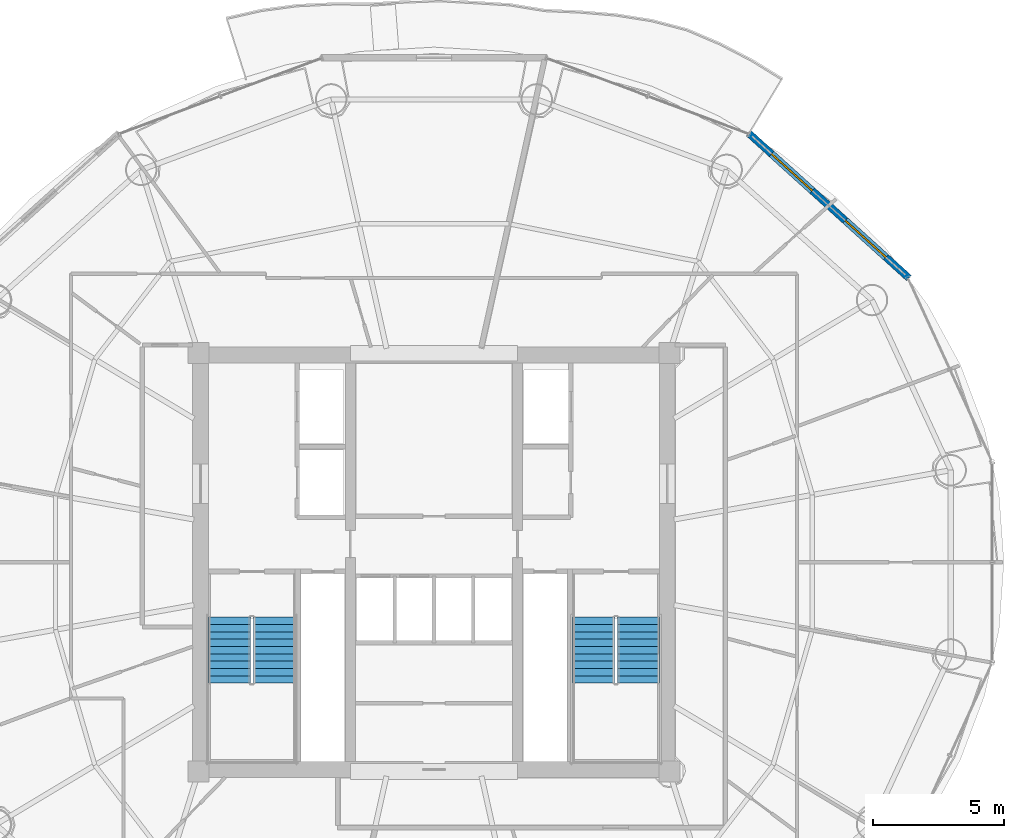
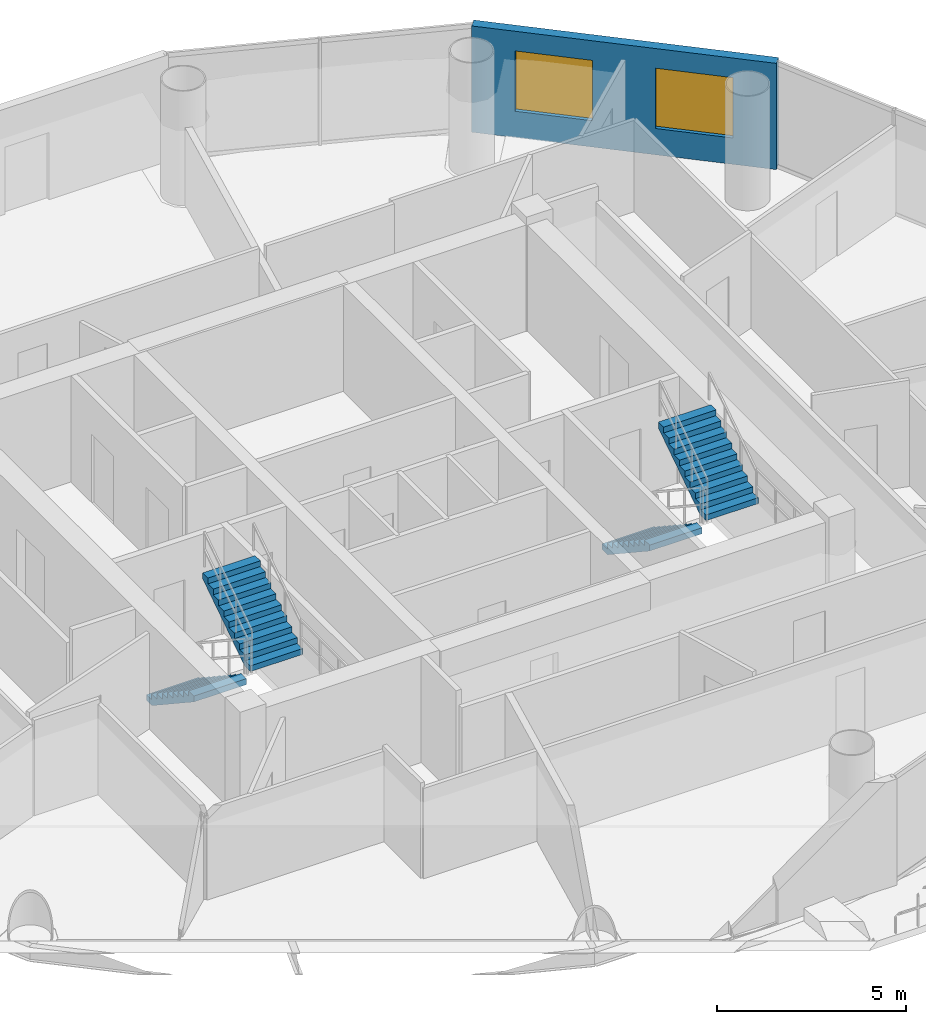
# One storey, part 23 of 26: 4 stair flights, 2 windows, 1 wall, 2 openings, 2 elements without a shape of their own.
"""IFC4 building model written with IfcOpenShell, lengths in metres."""

from ifc_helpers import new_model, si_unit, direction, frame, frame_2d, origin, place, context, subcontext, project, spatial, polyline, rectangle, outline, extrude, source, transform, mapped, material, layer, layer_set, type_object, element, fill, aggregate, save


model = new_model("IFC4")

# Units and contexts
model_context = context("Model", 3, precision=1e-05, world=origin(), true_north=direction((-0.2419218956, 0.970295726276)))
body_context = subcontext(model_context, "Body", "Model", "MODEL_VIEW")
ifc_project = project(units=[si_unit("LENGTHUNIT", "METRE"), si_unit("AREAUNIT", "SQUARE_METRE"), si_unit("VOLUMEUNIT", "CUBIC_METRE"), si_unit("PLANEANGLEUNIT", "RADIAN"), si_unit("MASSUNIT", "GRAM", prefix="KILO")], contexts=[model_context])

# Site, building, storey
site_placement = place(None, origin())
site = spatial("IfcSite", under=ifc_project, at=site_placement, CompositionType="ELEMENT")
building_placement = place(site_placement, origin())
building = spatial("IfcBuilding", under=site, at=building_placement, Name="Cobrevalo Terracotta Tower", CompositionType="ELEMENT")
storey_placement = place(building_placement, frame((0.0, 0.0, 231.89990234375)))
storey = spatial("IfcBuildingStorey", under=building, at=storey_placement, Name="L61", CompositionType="ELEMENT", Elevation=231.89990234375)

# Wall, openings, windows
ifc_material_1 = material(Name="Autoclaved aerated concrete block", Category="concrete")
ifc_layer = layer(ifc_material_1, 0.280029296875)
ifc_layer_set = layer_set([ifc_layer], Name="Autoclaved aerated concrete block")
wall_type = type_object("IfcWallType", Name="Insulated tower spandrel & pier wall 280 mm with terracotta rainscreen", PredefinedType="SOLIDWALL", material=ifc_layer_set)
wall_placement = place(storey_placement, frame((56.160400390625, 37.67431640625, 0.0), z_axis=(0.0, 0.0, 1.0), x_axis=(-0.741972126783, 0.670430729514, 0.0)))
wall = element("IfcWall", 1, at=wall_placement, inside=storey, type_object=wall_type, Name="L61 terracotta rainscreen pier wall S02", PredefinedType="SOLIDWALL", context=body_context, shape_type="SweptSolid", body=[
    extrude(rectangle(XDim=8.255126953125, YDim=0.280029296875, at=frame_2d((4.12744140625, 0.0))), origin(), (0.0, 0.0, 1.0), 3.43505859375),
])
opening_1_placement = place(wall_placement, frame((1.1787109375, 0.0, 0.85009765625)))
opening_1 = element("IfcOpeningElement", 2, at=opening_1_placement, cuts=wall, Name="Opening WN-10", PredefinedType="OPENING", context=body_context, shape_type="SweptSolid", body=[
    extrude(rectangle(XDim=2.10009765625, YDim=1.949951171875, at=frame_2d((1.050048828125, 0.97509765625))), frame((0.0, 0.14990234375, 0.0), z_axis=(0.0, -1.0, 0.0), x_axis=(1.0, 0.0, 0.0)), (0.0, 0.0, 1.0), 0.300048828125),
])
opening_2_placement = place(wall_placement, frame((4.97607421875, 0.0, 0.85009765625)))
opening_2 = element("IfcOpeningElement", 3, at=opening_2_placement, cuts=wall, Name="Opening WN-10", PredefinedType="OPENING", context=body_context, shape_type="SweptSolid", body=[
    extrude(rectangle(XDim=2.10009765625, YDim=1.949951171875, at=frame_2d((1.050048828125, 0.97509765625))), frame((0.0, 0.14990234375, 0.0), z_axis=(0.0, -1.0, 0.0), x_axis=(1.0, 0.0, 0.0)), (0.0, 0.0, 1.0), 0.300048828125),
])
ifc_material_2 = material(Name="Solar-control low-E double glazing", Category="glass")
window_type = type_object("IfcWindowType", Name="Wide panoramic low-E aluminium window 2100x1950", PartitioningType="SINGLE_PANEL", PredefinedType="WINDOW", material=ifc_material_2)
shared_shape = source(origin(), body_context, "Body", "SweptSolid", [
    extrude(rectangle(XDim=2.10009765625, YDim=1.949951171875, at=frame_2d((1.050048828125, 0.97509765625))), frame((0.0, 0.030029296875, 0.0), z_axis=(0.0, -1.0, 0.0), x_axis=(1.0, 0.0, 0.0)), (0.0, 0.0, 1.0), 0.06005859375),
])
window_1_placement = place(opening_1_placement, origin())
window_1 = element("IfcWindow", 4, at=window_1_placement, inside=storey, type_object=window_type, Name="L61 suite window S02A", OverallHeight=1.949951171875, OverallWidth=2.10009765625, PartitioningType="SINGLE_PANEL", PredefinedType="WINDOW", context=body_context, shape_type="MappedRepresentation", body=[
    mapped(shared_shape, transform((0.0, 0.0, 0.0), scale=1.0)),
])
fill(opening_1, window_1)
window_2_placement = place(opening_2_placement, origin())
window_2 = element("IfcWindow", 5, at=window_2_placement, inside=storey, type_object=window_type, Name="L61 suite window S02B", OverallHeight=1.949951171875, OverallWidth=2.10009765625, PartitioningType="SINGLE_PANEL", PredefinedType="WINDOW", context=body_context, shape_type="MappedRepresentation", body=[
    mapped(shared_shape, transform((0.0, 0.0, 0.0), scale=1.0)),
])
fill(opening_2, window_2)

# Stair, stair flights
ifc_material_3 = material(Name="Concrete C50", Category="concrete")
stair_type = type_object("IfcStairType", Name="Core protected escape dogleg stair 1600", PredefinedType="HALF_TURN_STAIR", material=ifc_material_3)
stair_1_placement = place(storey_placement, origin())
stair_1 = element("IfcStair", 6, at=stair_1_placement, inside=storey, type_object=stair_type, Name="L61 Protected exit stair ST-1", PredefinedType="HALF_TURN_STAIR")
stair_flight_type = type_object("IfcStairFlightType", Name="Core protected escape dogleg stair 1600 flight", PredefinedType="STRAIGHT", material=ifc_material_3)
stair_flight_1_placement = place(storey_placement, frame((30.175048828125, 24.699951171875, 0.0), z_axis=(0.0, 0.0, 1.0), x_axis=(0.0, -1.0, 0.0)))
stair_flight_1 = element("IfcStairFlight", 7, at=stair_flight_1_placement, type_object=stair_flight_type, Name="ST-1 flight 1", NumberOfRisers=10, NumberOfTreads=9, PredefinedType="STRAIGHT", RiserHeight=0.185, TreadLength=0.28, context=body_context, shape_type="SweptSolid", body=[
    extrude(outline(polyline([(0.0, 0.0), (0.0, 0.18505859375), (0.280029296875, 0.18505859375), (0.280029296875, 0.3701171875), (0.56005859375, 0.3701171875), (0.56005859375, 0.554931640625), (0.840087890625, 0.554931640625), (0.840087890625, 0.739990234375), (1.1201171875, 0.739990234375), (1.1201171875, 0.925048828125), (1.39990234375, 0.925048828125), (1.39990234375, 1.110107421875), (1.679931640625, 1.110107421875), (1.679931640625, 1.294921875), (1.9599609375, 1.294921875), (1.9599609375, 1.47998046875), (2.239990234375, 1.47998046875), (2.239990234375, 1.6650390625), (2.52001953125, 1.6650390625), (2.52001953125, 1.85009765625), (2.52001953125, 1.473388671875), (0.2900390625, 0.0), (0.0, 0.0)])), frame((0.0, 0.800048828125, 0.0), z_axis=(0.0, -1.0, 0.0), x_axis=(1.0, 0.0, 0.0)), (0.0, 0.0, 1.0), 1.60009765625),
])
stair_flight_2_placement = place(storey_placement, frame((31.89501953125, 22.179931640625, 1.85009765625), z_axis=(0.0, 0.0, 1.0), x_axis=(0.0, 1.0, 0.0)))
stair_flight_2 = element("IfcStairFlight", 8, at=stair_flight_2_placement, type_object=stair_flight_type, Name="ST-1 flight 2", NumberOfRisers=10, NumberOfTreads=9, PredefinedType="STRAIGHT", RiserHeight=0.185, TreadLength=0.28, context=body_context, shape_type="SweptSolid", body=[
    extrude(outline(polyline([(0.0, 0.0), (0.0, 0.18505859375), (0.280029296875, 0.18505859375), (0.280029296875, 0.3701171875), (0.56005859375, 0.3701171875), (0.56005859375, 0.554931640625), (0.840087890625, 0.554931640625), (0.840087890625, 0.739990234375), (1.1201171875, 0.739990234375), (1.1201171875, 0.925048828125), (1.39990234375, 0.925048828125), (1.39990234375, 1.110107421875), (1.679931640625, 1.110107421875), (1.679931640625, 1.294921875), (1.9599609375, 1.294921875), (1.9599609375, 1.47998046875), (2.239990234375, 1.47998046875), (2.239990234375, 1.6650390625), (2.52001953125, 1.6650390625), (2.52001953125, 1.85009765625), (2.52001953125, 1.473388671875), (0.2900390625, 0.0), (0.0, 0.0)])), frame((0.0, 0.800048828125, 0.0), z_axis=(0.0, -1.0, 0.0), x_axis=(1.0, 0.0, 0.0)), (0.0, 0.0, 1.0), 1.60009765625),
])
aggregate(stair_1, [stair_flight_1, stair_flight_2])

stair_2_placement = place(storey_placement, origin())
stair_2 = element("IfcStair", 9, at=stair_2_placement, inside=storey, type_object=stair_type, Name="L61 Protected exit stair ST-2", PredefinedType="HALF_TURN_STAIR")
stair_flight_3_placement = place(storey_placement, frame((44.10498046875, 24.699951171875, 0.0), z_axis=(0.0, 0.0, 1.0), x_axis=(0.0, -1.0, 0.0)))
stair_flight_3 = element("IfcStairFlight", 10, at=stair_flight_3_placement, type_object=stair_flight_type, Name="ST-2 flight 1", NumberOfRisers=10, NumberOfTreads=9, PredefinedType="STRAIGHT", RiserHeight=0.185, TreadLength=0.28, context=body_context, shape_type="SweptSolid", body=[
    extrude(outline(polyline([(0.0, 0.0), (0.0, 0.18505859375), (0.280029296875, 0.18505859375), (0.280029296875, 0.3701171875), (0.56005859375, 0.3701171875), (0.56005859375, 0.554931640625), (0.840087890625, 0.554931640625), (0.840087890625, 0.739990234375), (1.1201171875, 0.739990234375), (1.1201171875, 0.925048828125), (1.39990234375, 0.925048828125), (1.39990234375, 1.110107421875), (1.679931640625, 1.110107421875), (1.679931640625, 1.294921875), (1.9599609375, 1.294921875), (1.9599609375, 1.47998046875), (2.239990234375, 1.47998046875), (2.239990234375, 1.6650390625), (2.52001953125, 1.6650390625), (2.52001953125, 1.85009765625), (2.52001953125, 1.473388671875), (0.2900390625, 0.0), (0.0, 0.0)])), frame((0.0, 0.800048828125, 0.0), z_axis=(0.0, -1.0, 0.0), x_axis=(1.0, 0.0, 0.0)), (0.0, 0.0, 1.0), 1.60009765625),
])
stair_flight_4_placement = place(storey_placement, frame((45.824951171875, 22.179931640625, 1.85009765625), z_axis=(0.0, 0.0, 1.0), x_axis=(0.0, 1.0, 0.0)))
stair_flight_4 = element("IfcStairFlight", 11, at=stair_flight_4_placement, type_object=stair_flight_type, Name="ST-2 flight 2", NumberOfRisers=10, NumberOfTreads=9, PredefinedType="STRAIGHT", RiserHeight=0.185, TreadLength=0.28, context=body_context, shape_type="SweptSolid", body=[
    extrude(outline(polyline([(0.0, 0.0), (0.0, 0.18505859375), (0.280029296875, 0.18505859375), (0.280029296875, 0.3701171875), (0.56005859375, 0.3701171875), (0.56005859375, 0.554931640625), (0.840087890625, 0.554931640625), (0.840087890625, 0.739990234375), (1.1201171875, 0.739990234375), (1.1201171875, 0.925048828125), (1.39990234375, 0.925048828125), (1.39990234375, 1.110107421875), (1.679931640625, 1.110107421875), (1.679931640625, 1.294921875), (1.9599609375, 1.294921875), (1.9599609375, 1.47998046875), (2.239990234375, 1.47998046875), (2.239990234375, 1.6650390625), (2.52001953125, 1.6650390625), (2.52001953125, 1.85009765625), (2.52001953125, 1.473388671875), (0.2900390625, 0.0), (0.0, 0.0)])), frame((0.0, 0.800048828125, 0.0), z_axis=(0.0, -1.0, 0.0), x_axis=(1.0, 0.0, 0.0)), (0.0, 0.0, 1.0), 1.60009765625),
])
aggregate(stair_2, [stair_flight_3, stair_flight_4])

save(model, "model.ifc")
